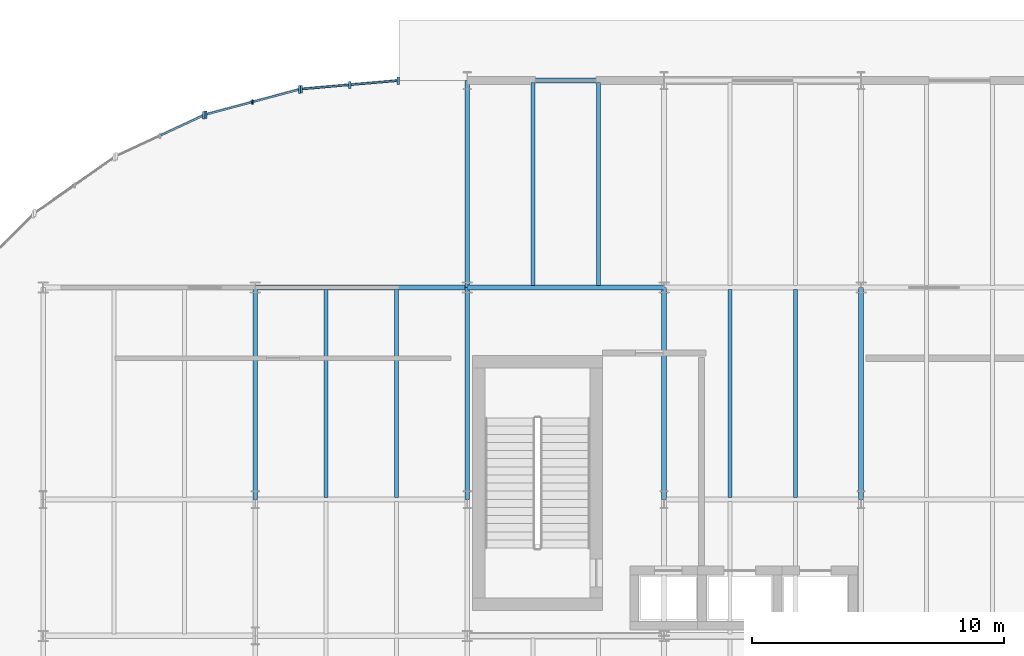
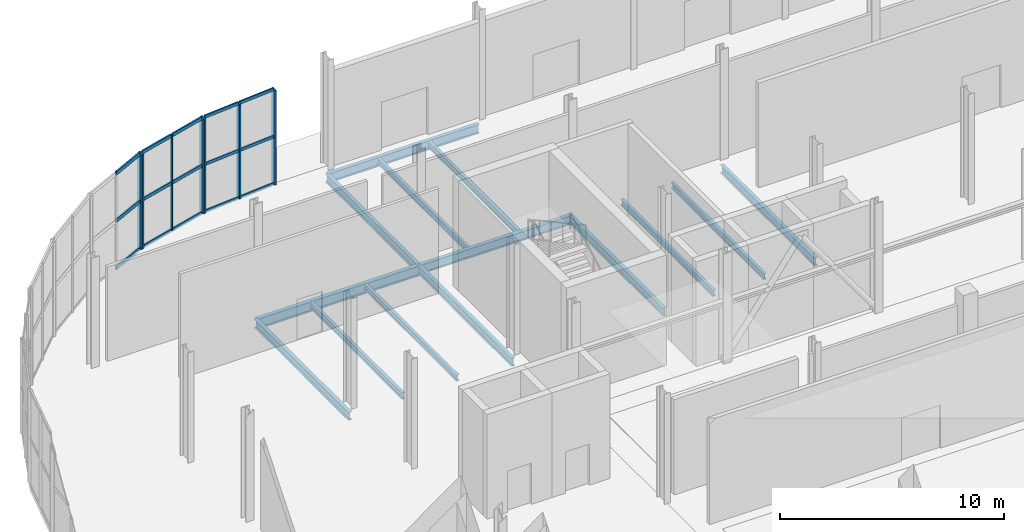
# One storey, part 34 of 84: 22 members, 14 beams, 3 elements without a shape of their own.
"""IFC4 building model written with IfcOpenShell, lengths in metres."""

from ifc_helpers import new_model, si_unit, direction, frame, origin, origin_2d, place, context, subcontext, project, spatial, rectangle, i_section, extrude, material, layer, layer_set, material_profile, profile_set, type_object, element, aggregate, save


model = new_model("IFC4")

# Units and contexts
model_context = context("Model", 3, precision=1e-05, world=origin(), true_north=direction((0.0, 1.0)))
body_context = subcontext(model_context, "Body", "Model", "MODEL_VIEW")
ifc_project = project(units=[si_unit("LENGTHUNIT", "METRE"), si_unit("AREAUNIT", "SQUARE_METRE"), si_unit("VOLUMEUNIT", "CUBIC_METRE"), si_unit("PLANEANGLEUNIT", "RADIAN"), si_unit("MASSUNIT", "GRAM", prefix="KILO")], contexts=[model_context])

# Site, building, storey
site_placement = place(None, origin())
site = spatial("IfcSite", under=ifc_project, at=site_placement, CompositionType="ELEMENT")
building_placement = place(site_placement, origin())
building = spatial("IfcBuilding", under=site, at=building_placement, Name="Sefraquen Railside Congress Hotel", CompositionType="ELEMENT")
storey_placement = place(building_placement, origin())
storey = spatial("IfcBuildingStorey", under=building, at=storey_placement, Name="L00", CompositionType="ELEMENT", Elevation=0.0)

# Beams
ifc_material_1 = material(Name="Steel S355JR", Category="steel")
ifc_material_profile_1 = material_profile(ifc_material_1, i_section(OverallWidth=0.18994140625, OverallDepth=0.449951171875, WebThickness=0.009521484375, FlangeThickness=0.0146484375, FilletRadius=0.02099609375, at=origin_2d()), Name="IPE 450")
ifc_profile_set_1 = profile_set([ifc_material_profile_1], Name="Steel S355JR")
beam_type_1 = type_object("IfcBeamType", Name="TB-BM-450", PredefinedType="BEAM", material=ifc_profile_set_1)
for number, where, z_axis, x_axis, name in (
    (1, (16.800048828125, 101.39990234375, -0.625), (0.0, 1.0, 0.0), (-1.0, 0.0, 0.0), "Floor beam BM-L00-0187"),
    (2, (25.199951171875, 101.39990234375, -0.625), (0.0, 1.0, 0.0), (-1.0, 0.0, 0.0), "Floor beam BM-L00-0199"),
):
    element("IfcBeam", number, at=place(storey_placement, frame(where, z_axis=z_axis, x_axis=x_axis)), inside=storey, type_object=beam_type_1, Name=name, PredefinedType="BEAM", context=body_context, shape_type="SweptSolid", body=[
        extrude(i_section(OverallWidth=0.18994140625, OverallDepth=0.449951171875, WebThickness=0.009521484375, FlangeThickness=0.0146484375, FilletRadius=0.02099609375, at=origin_2d()), origin(), (0.0, 0.0, 1.0), 8.400146484375),
    ])
beam_1_placement = place(storey_placement, frame((25.199951171875, 109.800048828125, -0.625), z_axis=(0.0, 1.0, 0.0), x_axis=(-1.0, 0.0, 0.0)))
element("IfcBeam", 3, at=beam_1_placement, inside=storey, type_object=beam_type_1, Name="Floor beam BM-L00-0200", PredefinedType="BEAM", context=body_context, shape_type="SweptSolid", body=[
    extrude(i_section(OverallWidth=0.18994140625, OverallDepth=0.449951171875, WebThickness=0.009521484375, FlangeThickness=0.0146484375, FilletRadius=0.02099609375, at=origin_2d()), origin(), (0.0, 0.0, 1.0), 8.199951171875),
])
for number, where, z_axis, x_axis, name in (
    (4, (33.0, 101.39990234375, -0.625), (0.0, 1.0, 0.0), (-1.0, 0.0, 0.0), "Floor beam BM-L00-0212"),
    (5, (40.800048828125, 101.39990234375, -0.625), (0.0, 1.0, 0.0), (-1.0, 0.0, 0.0), "Floor beam BM-L00-0225"),
):
    element("IfcBeam", number, at=place(storey_placement, frame(where, z_axis=z_axis, x_axis=x_axis)), inside=storey, type_object=beam_type_1, Name=name, PredefinedType="BEAM", context=body_context, shape_type="SweptSolid", body=[
        extrude(i_section(OverallWidth=0.18994140625, OverallDepth=0.449951171875, WebThickness=0.009521484375, FlangeThickness=0.0146484375, FilletRadius=0.02099609375, at=origin_2d()), origin(), (0.0, 0.0, 1.0), 8.400146484375),
    ])
ifc_material_profile_2 = material_profile(ifc_material_1, i_section(OverallWidth=0.199951171875, OverallDepth=0.5, WebThickness=0.01025390625, FlangeThickness=0.01611328125, FilletRadius=0.02099609375, at=origin_2d()), Name="IPE 500")
ifc_profile_set_2 = profile_set([ifc_material_profile_2], Name="Steel S355JR")
beam_type_2 = type_object("IfcBeamType", Name="TB-BM-500", PredefinedType="BEAM", material=ifc_profile_set_2)
for number, where, z_axis, x_axis, name in (
    (6, (25.199951171875, 109.800048828125, -0.64990234375), (1.0, 0.0, 0.0), (0.0, 1.0, 0.0), "Primary girder BM-L00-0149"),
    (7, (25.199951171875, 118.0, -0.64990234375), (1.0, 0.0, 0.0), (0.0, 1.0, 0.0), "Primary girder BM-L00-0161"),
):
    element("IfcBeam", number, at=place(storey_placement, frame(where, z_axis=z_axis, x_axis=x_axis)), inside=storey, type_object=beam_type_2, Name=name, PredefinedType="BEAM", context=body_context, shape_type="SweptSolid", body=[
        extrude(i_section(OverallWidth=0.199951171875, OverallDepth=0.5, WebThickness=0.01025390625, FlangeThickness=0.01611328125, FilletRadius=0.02099609375, at=origin_2d()), origin(), (0.0, 0.0, 1.0), 7.800048828125),
    ])
ifc_material_profile_3 = material_profile(ifc_material_1, i_section(OverallWidth=0.2099609375, OverallDepth=0.550048828125, WebThickness=0.010986328125, FlangeThickness=0.01708984375, FilletRadius=0.02392578125, at=origin_2d()), Name="IPE 550")
ifc_profile_set_3 = profile_set([ifc_material_profile_3], Name="Steel S355JR")
beam_type_3 = type_object("IfcBeamType", Name="TB-GIR-550", PredefinedType="T_BEAM", material=ifc_profile_set_3)
beam_2_placement = place(storey_placement, frame((16.800048828125, 109.800048828125, -0.675048828125), z_axis=(1.0, 0.0, 0.0), x_axis=(0.0, 1.0, 0.0)))
element("IfcBeam", 8, at=beam_2_placement, inside=storey, type_object=beam_type_3, Name="Primary girder BM-L00-0148", PredefinedType="T_BEAM", context=body_context, shape_type="SweptSolid", body=[
    extrude(i_section(OverallWidth=0.2099609375, OverallDepth=0.550048828125, WebThickness=0.010986328125, FlangeThickness=0.01708984375, FilletRadius=0.02392578125, at=origin_2d()), origin(), (0.0, 0.0, 1.0), 8.39990234375),
])
ifc_material_profile_4 = material_profile(ifc_material_1, i_section(OverallWidth=0.159912109375, OverallDepth=0.330078125, WebThickness=0.007568359375, FlangeThickness=0.011474609375, FilletRadius=0.01806640625, at=origin_2d()), Name="IPE 330")
ifc_profile_set_4 = profile_set([ifc_material_profile_4], Name="Steel S355JR")
beam_type_4 = type_object("IfcBeamType", Name="TB-JST-330", PredefinedType="JOIST", material=ifc_profile_set_4)
for number, where, z_axis, x_axis, name in (
    (9, (19.60009765625, 101.485107421875, -0.56494140625), (0.0, 1.0, 0.0), (-1.0, 0.0, 0.0), "Composite floor joist BM-L00-J0025"),
    (10, (22.39990234375, 101.485107421875, -0.56494140625), (0.0, 1.0, 0.0), (-1.0, 0.0, 0.0), "Composite floor joist BM-L00-J0026"),
):
    element("IfcBeam", number, at=place(storey_placement, frame(where, z_axis=z_axis, x_axis=x_axis)), inside=storey, type_object=beam_type_4, Name=name, PredefinedType="JOIST", context=body_context, shape_type="SweptSolid", body=[
        extrude(i_section(OverallWidth=0.159912109375, OverallDepth=0.330078125, WebThickness=0.007568359375, FlangeThickness=0.011474609375, FilletRadius=0.01806640625, at=origin_2d()), origin(), (0.0, 0.0, 1.0), 8.22998046875),
    ])
for number, where, z_axis, x_axis, name in (
    (11, (27.800048828125, 109.8798828125, -0.56494140625), (0.0, 1.0, 0.0), (-1.0, 0.0, 0.0), "Composite floor joist BM-L00-J0042"),
    (12, (30.39990234375, 109.8798828125, -0.56494140625), (0.0, 1.0, 0.0), (-1.0, 0.0, 0.0), "Composite floor joist BM-L00-J0043"),
):
    element("IfcBeam", number, at=place(storey_placement, frame(where, z_axis=z_axis, x_axis=x_axis)), inside=storey, type_object=beam_type_4, Name=name, PredefinedType="JOIST", context=body_context, shape_type="SweptSolid", body=[
        extrude(i_section(OverallWidth=0.159912109375, OverallDepth=0.330078125, WebThickness=0.007568359375, FlangeThickness=0.011474609375, FilletRadius=0.01806640625, at=origin_2d()), origin(), (0.0, 0.0, 1.0), 8.0400390625),
    ])
for number, where, z_axis, x_axis, name in (
    (13, (35.60009765625, 101.47998046875, -0.56494140625), (0.0, 1.0, 0.0), (-1.0, 0.0, 0.0), "Composite floor joist BM-L00-J0066"),
    (14, (38.199951171875, 101.47998046875, -0.56494140625), (0.0, 1.0, 0.0), (-1.0, 0.0, 0.0), "Composite floor joist BM-L00-J0067"),
):
    element("IfcBeam", number, at=place(storey_placement, frame(where, z_axis=z_axis, x_axis=x_axis)), inside=storey, type_object=beam_type_4, Name=name, PredefinedType="JOIST", context=body_context, shape_type="SweptSolid", body=[
        extrude(i_section(OverallWidth=0.159912109375, OverallDepth=0.330078125, WebThickness=0.007568359375, FlangeThickness=0.011474609375, FilletRadius=0.01806640625, at=origin_2d()), origin(), (0.0, 0.0, 1.0), 8.239990234375),
    ])

# Curtain wall, member
ifc_material_2 = material(Name="Thermally broken anodised aluminium and low-E double glazing", Category="aluminium")
ifc_layer_1 = layer(ifc_material_2, 0.199951171875)
ifc_layer_set_1 = layer_set([ifc_layer_1], Name="Thermally broken anodised aluminium and low-E double glazing")
curtain_wall_type_1 = type_object("IfcCurtainWallType", Name="TCW-UCW-29", PredefinedType="USERDEFINED", material=ifc_layer_set_1)
curtain_wall_1_placement = place(storey_placement, origin())
curtain_wall_1 = element("IfcCurtainWall", 15, at=curtain_wall_1_placement, inside=storey, type_object=curtain_wall_type_1, Name="Rotunda L00 curved curtain wall facet 2", ObjectType="UNITISED CURTAIN WALL", PredefinedType="USERDEFINED")
ifc_material_3 = material(Name="Thermally broken anodised aluminium 6063-T6", Category="aluminium")
ifc_material_profile_5 = material_profile(ifc_material_3, rectangle(XDim=0.06005859375, YDim=0.159912109375, at=origin_2d()), Name="CWM 60x160")
ifc_profile_set_5 = profile_set([ifc_material_profile_5], Name="Thermally broken anodised aluminium 6063-T6")
member_type_1 = type_object("IfcMemberType", Name="TM-CWM-01", PredefinedType="MULLION", material=ifc_profile_set_5)
member_1_placement = place(storey_placement, frame((16.69873046875, 117.150634765625, 0.0), z_axis=(0.0, 0.0, 1.0), x_axis=(1.0, 0.0, 0.0)))
member_1 = element("IfcMember", 16, at=member_1_placement, type_object=member_type_1, Name="CW-L00-ROT-02 mullion 2", PredefinedType="MULLION", context=body_context, shape_type="SweptSolid", body=[
    extrude(rectangle(XDim=0.06005859375, YDim=0.159912109375, at=origin_2d()), origin(), (0.0, 0.0, 1.0), 5.14990234375),
])

# Curtain wall, members
ifc_layer_2 = layer(ifc_material_2, 0.199951171875)
ifc_layer_set_2 = layer_set([ifc_layer_2], Name="Thermally broken anodised aluminium and low-E double glazing")
curtain_wall_type_2 = type_object("IfcCurtainWallType", Name="TCW-UCW-28", PredefinedType="USERDEFINED", material=ifc_layer_set_2)
curtain_wall_2_placement = place(storey_placement, origin())
curtain_wall_2 = element("IfcCurtainWall", 17, at=curtain_wall_2_placement, inside=storey, type_object=curtain_wall_type_2, Name="Rotunda L00 curved curtain wall facet 1", ObjectType="UNITISED CURTAIN WALL", PredefinedType="USERDEFINED")
ifc_material_profile_6 = material_profile(ifc_material_3, rectangle(XDim=0.090087890625, YDim=0.280029296875, at=origin_2d()), Name="CWM 90x280")
ifc_profile_set_6 = profile_set([ifc_material_profile_6], Name="Thermally broken anodised aluminium 6063-T6")
member_type_2 = type_object("IfcMemberType", Name="TM-CWM-07", PredefinedType="MULLION", material=ifc_profile_set_6)
member_2_placement = place(storey_placement, frame((20.54638671875, 117.8291015625, 0.0), z_axis=(0.0, 0.0, 1.0), x_axis=(1.0, 0.0, 0.0)))
member_2 = element("IfcMember", 18, at=member_2_placement, type_object=member_type_2, Name="CW-L00-ROT-01 mullion 2", PredefinedType="MULLION", context=body_context, shape_type="SweptSolid", body=[
    extrude(rectangle(XDim=0.090087890625, YDim=0.280029296875, at=origin_2d()), origin(), (0.0, 0.0, 1.0), 5.14990234375),
])
ifc_material_profile_7 = material_profile(ifc_material_3, rectangle(XDim=0.094970703125, YDim=0.300048828125, at=origin_2d()), Name="CWM 95x300")
ifc_profile_set_7 = profile_set([ifc_material_profile_7], Name="Thermally broken anodised aluminium 6063-T6")
member_type_3 = type_object("IfcMemberType", Name="TM-CWM-08", PredefinedType="MULLION", material=ifc_profile_set_7)
member_3_placement = place(storey_placement, frame((22.460205078125, 117.99658203125, 0.0), z_axis=(0.0, 0.0, 1.0), x_axis=(1.0, 0.0, 0.0)))
member_3 = element("IfcMember", 19, at=member_3_placement, type_object=member_type_3, Name="CW-L00-ROT-01 mullion 1", PredefinedType="MULLION", context=body_context, shape_type="SweptSolid", body=[
    extrude(rectangle(XDim=0.094970703125, YDim=0.300048828125, at=origin_2d()), origin(), (0.0, 0.0, 1.0), 5.14990234375),
])
member_4_placement = place(storey_placement, frame((18.6328125, 117.66162109375, 0.0), z_axis=(0.0, 0.0, 1.0), x_axis=(1.0, 0.0, 0.0)))
member_4 = element("IfcMember", 20, at=member_4_placement, type_object=member_type_3, Name="CW-L00-ROT-01 mullion 3", PredefinedType="MULLION", context=body_context, shape_type="SweptSolid", body=[
    extrude(rectangle(XDim=0.094970703125, YDim=0.300048828125, at=origin_2d()), origin(), (0.0, 0.0, 1.0), 5.14990234375),
])

# Member
member_5_placement = place(storey_placement, frame((18.55419921875, 117.647705078125, 0.0), z_axis=(0.0, 0.0, 1.0), x_axis=(1.0, 0.0, 0.0)))
member_5 = element("IfcMember", 21, at=member_5_placement, type_object=member_type_3, Name="CW-L00-ROT-02 mullion 1", PredefinedType="MULLION", context=body_context, shape_type="SweptSolid", body=[
    extrude(rectangle(XDim=0.094970703125, YDim=0.300048828125, at=origin_2d()), origin(), (0.0, 0.0, 1.0), 5.14990234375),
])

member_6_placement = place(storey_placement, frame((14.843017578125, 116.653564453125, 0.0), z_axis=(0.0, 0.0, 1.0), x_axis=(1.0, 0.0, 0.0)))
member_6 = element("IfcMember", 22, at=member_6_placement, type_object=member_type_3, Name="CW-L00-ROT-02 mullion 3", PredefinedType="MULLION", context=body_context, shape_type="SweptSolid", body=[
    extrude(rectangle(XDim=0.094970703125, YDim=0.300048828125, at=origin_2d()), origin(), (0.0, 0.0, 1.0), 5.14990234375),
])

# Curtain wall, member
ifc_layer_3 = layer(ifc_material_2, 0.199951171875)
ifc_layer_set_3 = layer_set([ifc_layer_3], Name="Thermally broken anodised aluminium and low-E double glazing")
curtain_wall_type_3 = type_object("IfcCurtainWallType", Name="TCW-UCW-30", PredefinedType="USERDEFINED", material=ifc_layer_set_3)
curtain_wall_3_placement = place(storey_placement, origin())
curtain_wall_3 = element("IfcCurtainWall", 23, at=curtain_wall_3_placement, inside=storey, type_object=curtain_wall_type_3, Name="Rotunda L00 curved curtain wall facet 3", ObjectType="UNITISED CURTAIN WALL", PredefinedType="USERDEFINED")
member_7_placement = place(storey_placement, frame((14.768310546875, 116.626220703125, 0.0), z_axis=(0.0, 0.0, 1.0), x_axis=(1.0, 0.0, 0.0)))
member_7 = element("IfcMember", 24, at=member_7_placement, type_object=member_type_3, Name="CW-L00-ROT-03 mullion 1", PredefinedType="MULLION", context=body_context, shape_type="SweptSolid", body=[
    extrude(rectangle(XDim=0.094970703125, YDim=0.300048828125, at=origin_2d()), origin(), (0.0, 0.0, 1.0), 5.14990234375),
])

# Member
ifc_material_profile_8 = material_profile(ifc_material_3, rectangle(XDim=0.074951171875, YDim=0.1650390625, at=origin_2d()), Name="CWT 75x165")
ifc_profile_set_8 = profile_set([ifc_material_profile_8], Name="Thermally broken anodised aluminium 6063-T6")
member_type_4 = type_object("IfcMemberType", Name="TM-CWT-04", PredefinedType="USERDEFINED", material=ifc_profile_set_8)
member_8_placement = place(storey_placement, frame((22.415283203125, 117.99267578125, 0.0), z_axis=(-0.996190387898, -0.08720499447, 0.0), x_axis=(0.08720499447, -0.996190387898, 0.0)))
member_8 = element("IfcMember", 25, at=member_8_placement, type_object=member_type_4, Name="CW-L00-ROT-01 transom 1.1", ObjectType="TRANSOM", PredefinedType="USERDEFINED", context=body_context, shape_type="SweptSolid", body=[
    extrude(rectangle(XDim=0.074951171875, YDim=0.1650390625, at=origin_2d()), origin(), (0.0, 0.0, 1.0), 1.8310546875),
])

member_9_placement = place(storey_placement, frame((20.501708984375, 117.8251953125, 0.0), z_axis=(-0.996191401715, -0.087193412302, 0.0), x_axis=(0.087193412302, -0.996191401715, 0.0)))
member_9 = element("IfcMember", 26, at=member_9_placement, type_object=member_type_4, Name="CW-L00-ROT-01 transom 1.2", ObjectType="TRANSOM", PredefinedType="USERDEFINED", context=body_context, shape_type="SweptSolid", body=[
    extrude(rectangle(XDim=0.074951171875, YDim=0.1650390625, at=origin_2d()), origin(), (0.0, 0.0, 1.0), 1.831298828125),
])

member_10_placement = place(storey_placement, frame((22.415283203125, 117.99267578125, 2.574951171875), z_axis=(-0.996190387898, -0.08720499447, 0.0), x_axis=(0.08720499447, -0.996190387898, 0.0)))
member_10 = element("IfcMember", 27, at=member_10_placement, type_object=member_type_4, Name="CW-L00-ROT-01 transom 2.1", ObjectType="TRANSOM", PredefinedType="USERDEFINED", context=body_context, shape_type="SweptSolid", body=[
    extrude(rectangle(XDim=0.074951171875, YDim=0.1650390625, at=origin_2d()), origin(), (0.0, 0.0, 1.0), 1.8310546875),
])

member_11_placement = place(storey_placement, frame((20.501708984375, 117.8251953125, 2.574951171875), z_axis=(-0.996191401715, -0.087193412302, 0.0), x_axis=(0.087193412302, -0.996191401715, 0.0)))
member_11 = element("IfcMember", 28, at=member_11_placement, type_object=member_type_4, Name="CW-L00-ROT-01 transom 2.2", ObjectType="TRANSOM", PredefinedType="USERDEFINED", context=body_context, shape_type="SweptSolid", body=[
    extrude(rectangle(XDim=0.074951171875, YDim=0.1650390625, at=origin_2d()), origin(), (0.0, 0.0, 1.0), 1.831298828125),
])

member_12_placement = place(storey_placement, frame((22.415283203125, 117.99267578125, 5.14990234375), z_axis=(-0.996190387898, -0.08720499447, 0.0), x_axis=(0.08720499447, -0.996190387898, 0.0)))
member_12 = element("IfcMember", 29, at=member_12_placement, type_object=member_type_4, Name="CW-L00-ROT-01 transom 3.1", ObjectType="TRANSOM", PredefinedType="USERDEFINED", context=body_context, shape_type="SweptSolid", body=[
    extrude(rectangle(XDim=0.074951171875, YDim=0.1650390625, at=origin_2d()), origin(), (0.0, 0.0, 1.0), 1.8310546875),
])

member_13_placement = place(storey_placement, frame((20.501708984375, 117.8251953125, 5.14990234375), z_axis=(-0.996191401715, -0.087193412302, 0.0), x_axis=(0.087193412302, -0.996191401715, 0.0)))
member_13 = element("IfcMember", 30, at=member_13_placement, type_object=member_type_4, Name="CW-L00-ROT-01 transom 3.2", ObjectType="TRANSOM", PredefinedType="USERDEFINED", context=body_context, shape_type="SweptSolid", body=[
    extrude(rectangle(XDim=0.074951171875, YDim=0.1650390625, at=origin_2d()), origin(), (0.0, 0.0, 1.0), 1.831298828125),
])

aggregate(curtain_wall_2, [member_3, member_2, member_4, member_8, member_9, member_10, member_11, member_12, member_13])

ifc_material_profile_9 = material_profile(ifc_material_3, rectangle(XDim=0.080078125, YDim=0.179931640625, at=origin_2d()), Name="CWT 80x180")
ifc_profile_set_9 = profile_set([ifc_material_profile_9], Name="Thermally broken anodised aluminium 6063-T6")
member_type_5 = type_object("IfcMemberType", Name="TM-CWT-05", PredefinedType="USERDEFINED", material=ifc_profile_set_9)
member_14_placement = place(storey_placement, frame((18.5107421875, 117.63623046875, 0.0), z_axis=(-0.965893282759, -0.25894046868, 0.0), x_axis=(0.25894046868, -0.965893282759, 0.0)))
member_14 = element("IfcMember", 31, at=member_14_placement, type_object=member_type_5, Name="CW-L00-ROT-02 transom 1.1", ObjectType="TRANSOM", PredefinedType="USERDEFINED", context=body_context, shape_type="SweptSolid", body=[
    extrude(rectangle(XDim=0.080078125, YDim=0.179931640625, at=origin_2d()), origin(), (0.0, 0.0, 1.0), 1.8310546875),
])

member_15_placement = place(storey_placement, frame((16.6552734375, 117.138916015625, 0.0), z_axis=(-0.965926624666, -0.258816065499, 0.0), x_axis=(0.258816065499, -0.965926624666, 0.0)))
member_15 = element("IfcMember", 32, at=member_15_placement, type_object=member_type_5, Name="CW-L00-ROT-02 transom 1.2", ObjectType="TRANSOM", PredefinedType="USERDEFINED", context=body_context, shape_type="SweptSolid", body=[
    extrude(rectangle(XDim=0.080078125, YDim=0.179931640625, at=origin_2d()), origin(), (0.0, 0.0, 1.0), 1.8310546875),
])

member_16_placement = place(storey_placement, frame((18.5107421875, 117.63623046875, 2.574951171875), z_axis=(-0.965893282759, -0.25894046868, 0.0), x_axis=(0.25894046868, -0.965893282759, 0.0)))
member_16 = element("IfcMember", 33, at=member_16_placement, type_object=member_type_5, Name="CW-L00-ROT-02 transom 2.1", ObjectType="TRANSOM", PredefinedType="USERDEFINED", context=body_context, shape_type="SweptSolid", body=[
    extrude(rectangle(XDim=0.080078125, YDim=0.179931640625, at=origin_2d()), origin(), (0.0, 0.0, 1.0), 1.8310546875),
])

member_17_placement = place(storey_placement, frame((16.6552734375, 117.138916015625, 2.574951171875), z_axis=(-0.965926624666, -0.258816065499, 0.0), x_axis=(0.258816065499, -0.965926624666, 0.0)))
member_17 = element("IfcMember", 34, at=member_17_placement, type_object=member_type_5, Name="CW-L00-ROT-02 transom 2.2", ObjectType="TRANSOM", PredefinedType="USERDEFINED", context=body_context, shape_type="SweptSolid", body=[
    extrude(rectangle(XDim=0.080078125, YDim=0.179931640625, at=origin_2d()), origin(), (0.0, 0.0, 1.0), 1.8310546875),
])

member_18_placement = place(storey_placement, frame((18.5107421875, 117.63623046875, 5.14990234375), z_axis=(-0.965893282759, -0.25894046868, 0.0), x_axis=(0.25894046868, -0.965893282759, 0.0)))
member_18 = element("IfcMember", 35, at=member_18_placement, type_object=member_type_5, Name="CW-L00-ROT-02 transom 3.1", ObjectType="TRANSOM", PredefinedType="USERDEFINED", context=body_context, shape_type="SweptSolid", body=[
    extrude(rectangle(XDim=0.080078125, YDim=0.179931640625, at=origin_2d()), origin(), (0.0, 0.0, 1.0), 1.8310546875),
])

member_19_placement = place(storey_placement, frame((16.6552734375, 117.138916015625, 5.14990234375), z_axis=(-0.965926624666, -0.258816065499, 0.0), x_axis=(0.258816065499, -0.965926624666, 0.0)))
member_19 = element("IfcMember", 36, at=member_19_placement, type_object=member_type_5, Name="CW-L00-ROT-02 transom 3.2", ObjectType="TRANSOM", PredefinedType="USERDEFINED", context=body_context, shape_type="SweptSolid", body=[
    extrude(rectangle(XDim=0.080078125, YDim=0.179931640625, at=origin_2d()), origin(), (0.0, 0.0, 1.0), 1.8310546875),
])

aggregate(curtain_wall_1, [member_5, member_1, member_6, member_14, member_15, member_16, member_17, member_18, member_19])

ifc_material_profile_10 = material_profile(ifc_material_3, rectangle(XDim=0.0849609375, YDim=0.195068359375, at=origin_2d()), Name="CWT 85x195")
ifc_profile_set_10 = profile_set([ifc_material_profile_10], Name="Thermally broken anodised aluminium 6063-T6")
member_type_6 = type_object("IfcMemberType", Name="TM-CWT-06", PredefinedType="USERDEFINED", material=ifc_profile_set_10)
member_20_placement = place(storey_placement, frame((14.727294921875, 116.607177734375, 0.0), z_axis=(-0.906309158253, -0.422615321145, 0.0), x_axis=(0.422615321145, -0.906309158253, 0.0)))
member_20 = element("IfcMember", 37, at=member_20_placement, type_object=member_type_6, Name="CW-L00-ROT-03 transom 1.1", ObjectType="TRANSOM", PredefinedType="USERDEFINED", context=body_context, shape_type="SweptSolid", body=[
    extrude(rectangle(XDim=0.0849609375, YDim=0.195068359375, at=origin_2d()), origin(), (0.0, 0.0, 1.0), 1.830810546875),
])

member_21_placement = place(storey_placement, frame((14.727294921875, 116.607177734375, 2.574951171875), z_axis=(-0.906309158253, -0.422615321145, 0.0), x_axis=(0.422615321145, -0.906309158253, 0.0)))
member_21 = element("IfcMember", 38, at=member_21_placement, type_object=member_type_6, Name="CW-L00-ROT-03 transom 2.1", ObjectType="TRANSOM", PredefinedType="USERDEFINED", context=body_context, shape_type="SweptSolid", body=[
    extrude(rectangle(XDim=0.0849609375, YDim=0.195068359375, at=origin_2d()), origin(), (0.0, 0.0, 1.0), 1.830810546875),
])

member_22_placement = place(storey_placement, frame((14.727294921875, 116.607177734375, 5.14990234375), z_axis=(-0.906309158253, -0.422615321145, 0.0), x_axis=(0.422615321145, -0.906309158253, 0.0)))
member_22 = element("IfcMember", 39, at=member_22_placement, type_object=member_type_6, Name="CW-L00-ROT-03 transom 3.1", ObjectType="TRANSOM", PredefinedType="USERDEFINED", context=body_context, shape_type="SweptSolid", body=[
    extrude(rectangle(XDim=0.0849609375, YDim=0.195068359375, at=origin_2d()), origin(), (0.0, 0.0, 1.0), 1.830810546875),
])

aggregate(curtain_wall_3, [member_7, member_20, member_21, member_22])

save(model, "model.ifc")
